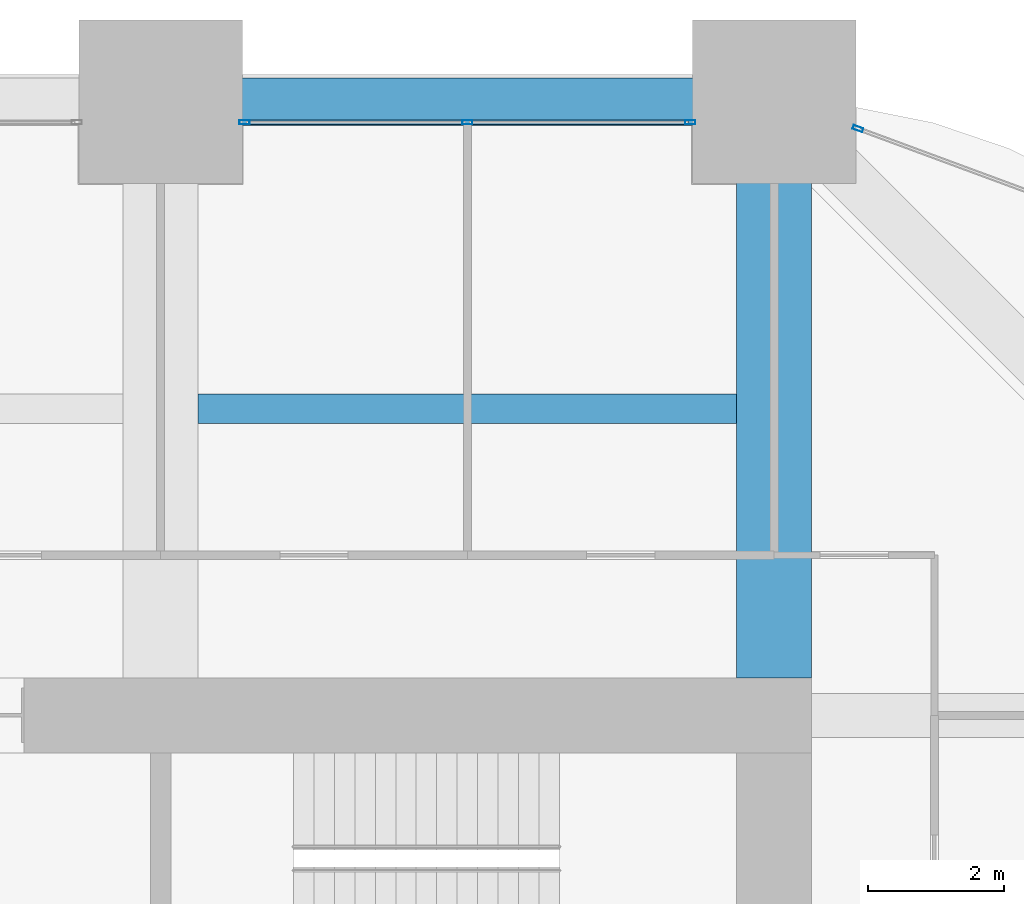
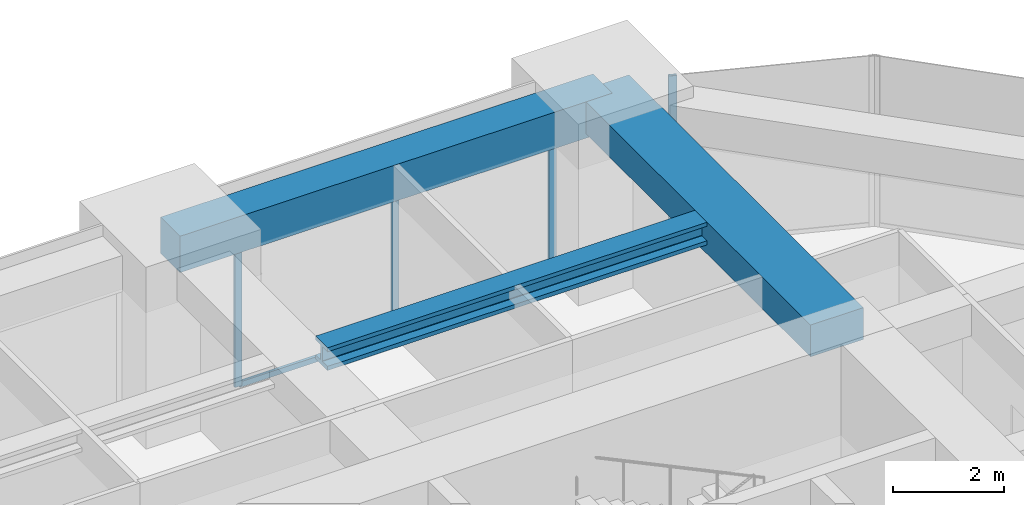
# One storey, part 26 of 33: 5 members, 3 beams, 2 elements without a shape of their own.
"""IFC4 building model written with IfcOpenShell, lengths in metres."""

from ifc_helpers import new_model, si_unit, direction, frame, origin, origin_2d, place, context, subcontext, project, spatial, rectangle, hollow_rectangle, i_section, extrude, material, material_profile, profile_set, type_object, element, aggregate, save


model = new_model("IFC4")

# Units and contexts
model_context = context("Model", 3, precision=1e-05, world=origin(), true_north=direction((0.0, 1.0)))
body_context = subcontext(model_context, "Body", "Model", "MODEL_VIEW")
ifc_project = project(units=[si_unit("LENGTHUNIT", "METRE"), si_unit("AREAUNIT", "SQUARE_METRE"), si_unit("VOLUMEUNIT", "CUBIC_METRE"), si_unit("PLANEANGLEUNIT", "RADIAN"), si_unit("MASSUNIT", "GRAM", prefix="KILO")], contexts=[model_context])

# Site, building, storey
site_placement = place(None, origin())
site = spatial("IfcSite", under=ifc_project, at=site_placement, CompositionType="ELEMENT")
building_placement = place(site_placement, origin())
building = spatial("IfcBuilding", under=site, at=building_placement, Name="Zorevar Civic Tower", CompositionType="ELEMENT")
storey_placement = place(building_placement, frame((0.0, 0.0, 206.199951171875)))
storey = spatial("IfcBuildingStorey", under=building, at=storey_placement, Name="L50", CompositionType="ELEMENT", Elevation=206.199951171875)

# Beam
ifc_material_1 = material(Name="Concrete C50/60", Category="concrete")
ifc_material_profile_1 = material_profile(ifc_material_1, rectangle(XDim=1.10009765625, YDim=0.699951171875, at=origin_2d()), Name="RC 1100x700")
ifc_profile_set_1 = profile_set([ifc_material_profile_1], Name="Concrete C50/60")
beam_type_1 = type_object("IfcBeamType", Name="Beam RC 1100x700", PredefinedType="BEAM", material=ifc_profile_set_1)
beam_1_placement = place(storey_placement, frame((45.0, 36.550048828125, 3.400146484375), z_axis=(0.0, 1.0, 0.0), x_axis=(-1.0, 0.0, 0.0)))
element("IfcBeam", 1, at=beam_1_placement, inside=storey, type_object=beam_type_1, Name="Girder L51", PredefinedType="BEAM", context=body_context, shape_type="SweptSolid", body=[
    extrude(rectangle(XDim=1.10009765625, YDim=0.699951171875, at=origin_2d()), origin(), (0.0, 0.0, 1.0), 8.449951171875),
])

# Curtain wall, members
ifc_material_2 = material(Name="Dark grey solar-control glass in black aluminium frame", Category="aluminium")
curtain_wall_type = type_object("IfcCurtainWallType", Name="Curtain wall CW4 high zone", PredefinedType="NOTDEFINED", material=ifc_material_2)
curtain_wall_1_placement = place(storey_placement, origin())
curtain_wall_1 = element("IfcCurtainWall", 2, at=curtain_wall_1_placement, inside=storey, type_object=curtain_wall_type, Name="CW4 L50", PredefinedType="NOTDEFINED")
ifc_material_3 = material(Name="Aluminium, black anodised", Category="aluminium")
ifc_material_profile_2 = material_profile(ifc_material_3, hollow_rectangle(XDim=0.06005859375, YDim=0.14990234375, WallThickness=0.00390625, at=origin_2d()), Name="AL 150x60x4")
ifc_profile_set_2 = profile_set([ifc_material_profile_2], Name="Aluminium, black anodised")
member_type_1 = type_object("IfcMemberType", Name="CW4 mullion AL 150x60x4", PredefinedType="MULLION", material=ifc_profile_set_2)
member_1_placement = place(storey_placement, frame((37.22998046875, 44.699951171875, 0.0), z_axis=(0.0, 0.0, 1.0), x_axis=(0.0, 1.0, 0.0)))
member_1 = element("IfcMember", 3, at=member_1_placement, type_object=member_type_1, Name="CW4 mullion 1", PredefinedType="MULLION", context=body_context, shape_type="SweptSolid", body=[
    extrude(hollow_rectangle(XDim=0.06005859375, YDim=0.14990234375, WallThickness=0.00390625, at=origin_2d()), origin(), (0.0, 0.0, 1.0), 2.949951171875),
])
member_2_placement = place(storey_placement, frame((40.5, 44.699951171875, 0.06005859375), z_axis=(0.0, 0.0, 1.0), x_axis=(0.0, 1.0, 0.0)))
member_2 = element("IfcMember", 4, at=member_2_placement, type_object=member_type_1, Name="CW4 mullion 2", PredefinedType="MULLION", context=body_context, shape_type="SweptSolid", body=[
    extrude(hollow_rectangle(XDim=0.06005859375, YDim=0.14990234375, WallThickness=0.00390625, at=origin_2d()), origin(), (0.0, 0.0, 1.0), 2.889892578125),
])
member_3_placement = place(storey_placement, frame((43.77001953125, 44.699951171875, 0.0), z_axis=(0.0, 0.0, 1.0), x_axis=(0.0, 1.0, 0.0)))
member_3 = element("IfcMember", 5, at=member_3_placement, type_object=member_type_1, Name="CW4 mullion 3", PredefinedType="MULLION", context=body_context, shape_type="SweptSolid", body=[
    extrude(hollow_rectangle(XDim=0.06005859375, YDim=0.14990234375, WallThickness=0.00390625, at=origin_2d()), origin(), (0.0, 0.0, 1.0), 2.949951171875),
])

# Curtain wall, member
curtain_wall_2_placement = place(storey_placement, origin())
curtain_wall_2 = element("IfcCurtainWall", 6, at=curtain_wall_2_placement, inside=storey, type_object=curtain_wall_type, Name="CW4 L50", PredefinedType="NOTDEFINED")
member_4_placement = place(storey_placement, frame((46.22802734375, 44.6064453125, 0.0), z_axis=(0.0, 0.0, 1.0), x_axis=(-0.346704012033, -0.937974588163, 0.0)))
member_4 = element("IfcMember", 7, at=member_4_placement, type_object=member_type_1, Name="CW4 mullion 2", PredefinedType="MULLION", context=body_context, shape_type="SweptSolid", body=[
    extrude(hollow_rectangle(XDim=0.06005859375, YDim=0.14990234375, WallThickness=0.00390625, at=origin_2d()), origin(), (0.0, 0.0, 1.0), 3.75),
])
aggregate(curtain_wall_2, [member_4])

# Member
ifc_material_4 = material(Name="Aluminium, black anodised", Category="aluminium")
ifc_material_profile_3 = material_profile(ifc_material_4, hollow_rectangle(XDim=0.06005859375, YDim=0.1201171875, WallThickness=0.0029296875, at=origin_2d()), Name="AL 120x60x3")
ifc_profile_set_3 = profile_set([ifc_material_profile_3], Name="Aluminium, black anodised")
member_type_2 = type_object("IfcMemberType", Name="CW4 transom AL 120x60x3", PredefinedType="USERDEFINED", material=ifc_profile_set_3)
member_5_placement = place(storey_placement, frame((37.260009765625, 44.699951171875, 0.030029296875), z_axis=(1.0, 0.0, 0.0), x_axis=(0.0, 1.0, 0.0)))
member_5 = element("IfcMember", 8, at=member_5_placement, type_object=member_type_2, Name="CW4 sill transom", ObjectType="TRANSOM", PredefinedType="USERDEFINED", context=body_context, shape_type="SweptSolid", body=[
    extrude(hollow_rectangle(XDim=0.06005859375, YDim=0.1201171875, WallThickness=0.0029296875, at=origin_2d()), origin(), (0.0, 0.0, 1.0), 6.47998046875),
])

aggregate(curtain_wall_1, [member_1, member_2, member_3, member_5])

# Beams
ifc_material_5 = material(Name="Steel S460M (HISTAR 460)", Category="steel")
ifc_material_profile_4 = material_profile(ifc_material_5, i_section(OverallWidth=0.431884765625, OverallDepth=0.498046875, WebThickness=0.0556640625, FlangeThickness=0.0888671875, FilletRadius=0.014892578125, at=origin_2d()), Name="HD 400x744")
ifc_profile_set_4 = profile_set([ifc_material_profile_4], Name="Steel S460M (HISTAR 460)")
beam_type_2 = type_object("IfcBeamType", Name="Core bay beam HD 400x744", PredefinedType="BEAM", material=ifc_profile_set_4)
beam_2_placement = place(storey_placement, frame((36.550048828125, 40.5, 3.5009765625), z_axis=(1.0, 0.0, 0.0), x_axis=(0.0, 1.0, 0.0)))
element("IfcBeam", 9, at=beam_2_placement, inside=storey, type_object=beam_type_2, Name="Secondary beam L51", PredefinedType="BEAM", context=body_context, shape_type="SweptSolid", body=[
    extrude(i_section(OverallWidth=0.431884765625, OverallDepth=0.498046875, WebThickness=0.0556640625, FlangeThickness=0.0888671875, FilletRadius=0.014892578125, at=origin_2d()), origin(), (0.0, 0.0, 1.0), 7.89990234375),
])
ifc_material_6 = material(Name="Concrete C50/60", Category="concrete")
ifc_material_profile_5 = material_profile(ifc_material_6, rectangle(XDim=0.699951171875, YDim=0.800048828125, at=origin_2d()), Name="RC 700x800")
ifc_profile_set_5 = profile_set([ifc_material_profile_5], Name="Concrete C50/60")
beam_type_3 = type_object("IfcBeamType", Name="Edge beam RC 700x800", PredefinedType="SPANDREL", material=ifc_profile_set_5)
beam_3_placement = place(storey_placement, frame((36.0, 45.0, 3.35009765625), z_axis=(1.0, 0.0, 0.0), x_axis=(0.0, 1.0, 0.0)))
element("IfcBeam", 10, at=beam_3_placement, inside=storey, type_object=beam_type_3, Name="Edge beam L51", PredefinedType="SPANDREL", context=body_context, shape_type="SweptSolid", body=[
    extrude(rectangle(XDim=0.699951171875, YDim=0.800048828125, at=origin_2d()), origin(), (0.0, 0.0, 1.0), 9.0),
])

save(model, "model.ifc")
